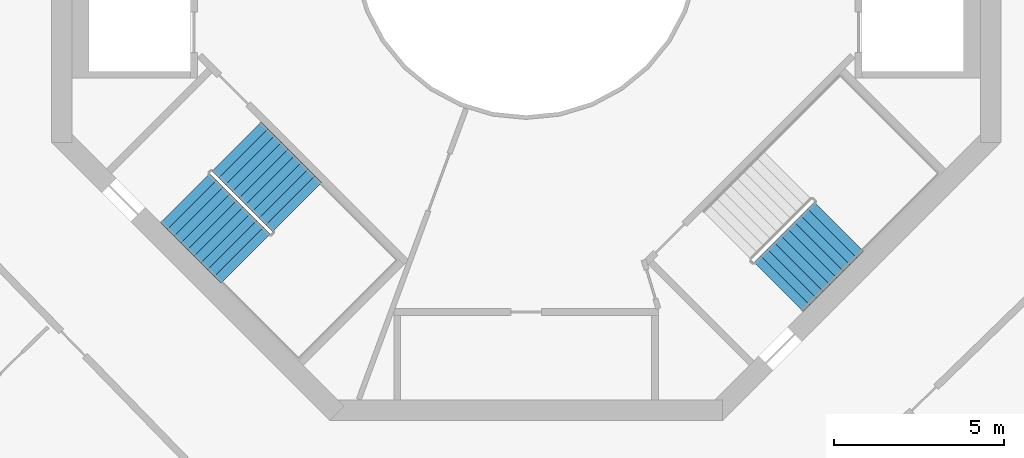
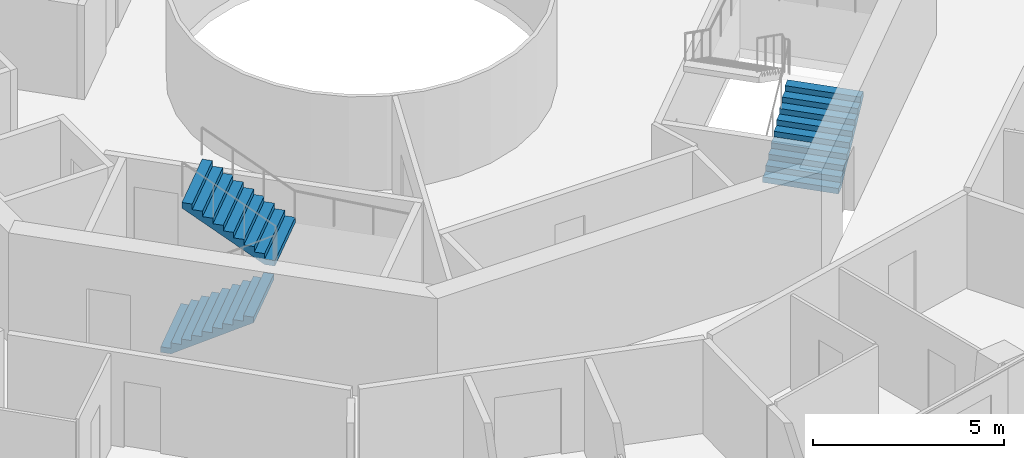
# One storey, part 22 of 24: 3 stair flights, 2 elements without a shape of their own.
"""IFC4 building model written with IfcOpenShell, lengths in metres."""

from ifc_helpers import new_model, si_unit, direction, frame, origin, place, context, subcontext, project, spatial, triangles, material, type_object, element, aggregate, save


model = new_model("IFC4")

# Units and contexts
model_context = context("Model", 3, precision=1e-05, world=origin(), true_north=direction((0.0, 1.0)))
body_context = subcontext(model_context, "Body", "Model", "MODEL_VIEW")
ifc_project = project(units=[si_unit("LENGTHUNIT", "METRE"), si_unit("AREAUNIT", "SQUARE_METRE"), si_unit("VOLUMEUNIT", "CUBIC_METRE"), si_unit("PLANEANGLEUNIT", "RADIAN"), si_unit("MASSUNIT", "GRAM", prefix="KILO")], contexts=[model_context])

# Site, building, storey
site_placement = place(None, origin())
site = spatial("IfcSite", under=ifc_project, at=site_placement, CompositionType="ELEMENT")
building_placement = place(site_placement, origin())
building = spatial("IfcBuilding", under=site, at=building_placement, Name="Verdalira Terraces Hotel", CompositionType="ELEMENT")
storey_placement = place(building_placement, frame((0.0, 0.0, 212.5)))
storey = spatial("IfcBuildingStorey", under=building, at=storey_placement, Name="L52", CompositionType="ELEMENT", Elevation=212.5)

# Stair, stair flights
ifc_material_1 = material(Name="Concrete C40", Category="concrete")
stair_type = type_object("IfcStairType", Name="Core stair 20 risers 2050 mm wide", PredefinedType="HALF_TURN_STAIR", material=ifc_material_1)
stair_1_placement = place(storey_placement, origin())
stair_1 = element("IfcStair", 1, at=stair_1_placement, inside=storey, type_object=stair_type, Name="L52 Exit stair ST2", PredefinedType="HALF_TURN_STAIR")
ifc_material_2 = material(Name="Concrete C40", Category="concrete")
stair_flight_type = type_object("IfcStairFlightType", Name="Core stair flight 20 risers 2050 mm wide", PredefinedType="STRAIGHT", material=ifc_material_2)
stair_flight_1_placement = place(storey_placement, frame((-10.058594, -7.442383, 0.0), z_axis=(0.0, 0.0, 1.0), x_axis=(0.707106781, -0.707106781, 0.0)))
stair_flight_1 = element("IfcStairFlight", 2, at=stair_flight_1_placement, type_object=stair_flight_type, Name="ST2 flight 1", NumberOfRisers=10, NumberOfTreads=9, PredefinedType="STRAIGHT", RiserHeight=0.175, TreadLength=0.28, context=body_context, shape_type="Tessellation", body=[
    triangles([(0.0, 1.025024, 0.0), (0.282715, 1.025024, 0.0), (2.52002, 1.025024, 1.398193), (0.0, -1.025024, 0.0), (0.282715, -1.025024, 0.0), (2.52002, -1.025024, 1.398193), (2.52002, 1.025024, 1.574951), (2.23999, 1.025024, 1.574951), (2.52002, -1.025024, 1.574951), (2.23999, -1.025024, 1.574951), (2.23999, 1.025024, 1.399902), (2.23999, -1.025024, 1.399902), (1.959961, 1.025024, 1.399902), (1.959961, -1.025024, 1.399902), (1.959961, 1.025024, 1.225098), (1.959961, -1.025024, 1.225098), (1.679932, 1.025024, 1.225098), (1.679932, 1.025024, 1.050049), (1.679932, -1.025024, 1.225098), (1.679932, -1.025024, 1.050049), (1.399902, 1.025024, 1.050049), (1.399902, 1.025024, 0.875), (1.399902, -1.025024, 1.050049), (1.399902, -1.025024, 0.875), (1.120117, 1.025024, 0.875), (1.120117, 1.025024, 0.699951), (1.120117, -1.025024, 0.875), (1.120117, -1.025024, 0.699951), (0.840088, 1.025024, 0.699951), (0.840088, 1.025024, 0.524902), (0.840088, -1.025024, 0.699951), (0.840088, -1.025024, 0.524902), (0.560059, 1.025024, 0.524902), (0.560059, 1.025024, 0.350098), (0.560059, -1.025024, 0.524902), (0.560059, -1.025024, 0.350098), (0.280029, 1.025024, 0.350098), (0.280029, 1.025024, 0.175049), (0.280029, -1.025024, 0.350098), (0.280029, -1.025024, 0.175049), (0.0, 1.025024, 0.175049), (0.0, -1.025024, 0.175049), (0.0, -0.96096, 0.0), (0.0, -0.96096, 0.175049), (0.0, -0.896896, 0.0), (0.0, -0.896896, 0.175049), (0.0, -0.832832, 0.0), (0.0, -0.832832, 0.175049), (0.0, -0.768768, 0.0), (0.0, -0.768768, 0.175049), (0.0, -0.704704, 0.0), (0.0, -0.704704, 0.175049), (0.0, -0.64064, 0.0), (0.0, -0.64064, 0.175049), (0.0, -0.576576, 0.0), (0.0, -0.576576, 0.175049), (0.0, -0.512512, 0.0), (0.0, -0.512512, 0.175049), (0.0, -0.448448, 0.0), (0.0, -0.448448, 0.175049), (0.0, -0.384384, 0.0), (0.0, -0.384384, 0.175049), (0.0, -0.32032, 0.0), (0.0, -0.32032, 0.175049), (0.0, -0.256256, 0.0), (0.0, -0.256256, 0.175049), (0.0, -0.192192, 0.0), (0.0, -0.192192, 0.175049), (0.0, -0.128128, 0.0), (0.0, -0.128128, 0.175049), (0.0, -0.064064, 0.0), (0.0, -0.064064, 0.175049), (0.0, 0.0, 0.0), (0.0, 0.0, 0.175049), (0.0, 0.064064, 0.0), (0.0, 0.064064, 0.175049), (0.0, 0.128128, 0.0), (0.0, 0.128128, 0.175049), (0.0, 0.192192, 0.0), (0.0, 0.192192, 0.175049), (0.0, 0.256256, 0.0), (0.0, 0.256256, 0.175049), (0.0, 0.32032, 0.0), (0.0, 0.32032, 0.175049), (0.0, 0.384384, 0.0), (0.0, 0.384384, 0.175049), (0.0, 0.448448, 0.0), (0.0, 0.448448, 0.175049), (0.0, 0.512512, 0.0), (0.0, 0.512512, 0.175049), (0.0, 0.576576, 0.0), (0.0, 0.576576, 0.175049), (0.0, 0.64064, 0.0), (0.0, 0.64064, 0.175049), (0.0, 0.704704, 0.0), (0.0, 0.704704, 0.175049), (0.0, 0.768768, 0.0), (0.0, 0.768768, 0.175049), (0.0, 0.832832, 0.0), (0.0, 0.832832, 0.175049), (0.0, 0.896896, 0.0), (0.0, 0.896896, 0.175049), (0.0, 0.96096, 0.0), (0.0, 0.96096, 0.175049), (2.52002, -0.96096, 1.574951), (2.52002, -0.896896, 1.574951), (2.52002, -0.832832, 1.574951), (2.52002, -0.768768, 1.574951), (2.52002, -0.704704, 1.574951), (2.52002, -0.64064, 1.574951), (2.52002, -0.576576, 1.574951), (2.52002, -0.512512, 1.574951), (2.52002, -0.448448, 1.574951), (2.52002, -0.384384, 1.574951), (2.52002, -0.32032, 1.574951), (2.52002, -0.256256, 1.574951), (2.52002, -0.192192, 1.574951), (2.52002, -0.128128, 1.574951), (2.52002, -0.064064, 1.574951), (2.52002, 0.0, 1.574951), (2.52002, 0.064064, 1.574951), (2.52002, 0.128128, 1.574951), (2.52002, 0.192192, 1.574951), (2.52002, 0.256256, 1.574951), (2.52002, 0.32032, 1.574951), (2.52002, 0.384384, 1.574951), (2.52002, 0.448448, 1.574951), (2.52002, 0.512512, 1.574951), (2.52002, 0.576576, 1.574951), (2.52002, 0.64064, 1.574951), (2.52002, 0.704704, 1.574951), (2.52002, 0.768768, 1.574951), (2.52002, 0.832832, 1.574951), (2.52002, 0.896896, 1.574951), (2.52002, 0.96096, 1.574951), (2.52002, -0.96096, 1.398193), (2.52002, -0.896896, 1.398193), (2.52002, -0.832832, 1.398193), (2.52002, -0.768768, 1.398193), (2.52002, -0.704704, 1.398193), (2.52002, -0.64064, 1.398193), (2.52002, -0.576576, 1.398193), (2.52002, -0.512512, 1.398193), (2.52002, -0.448448, 1.398193), (2.52002, -0.384384, 1.398193), (2.52002, -0.32032, 1.398193), (2.52002, -0.256256, 1.398193), (2.52002, -0.192192, 1.398193), (2.52002, -0.128128, 1.398193), (2.52002, -0.064064, 1.398193), (2.52002, 0.0, 1.398193), (2.52002, 0.064064, 1.398193), (2.52002, 0.128128, 1.398193), (2.52002, 0.192192, 1.398193), (2.52002, 0.256256, 1.398193), (2.52002, 0.32032, 1.398193), (2.52002, 0.384384, 1.398193), (2.52002, 0.448448, 1.398193), (2.52002, 0.512512, 1.398193), (2.52002, 0.576576, 1.398193), (2.52002, 0.64064, 1.398193), (2.52002, 0.704704, 1.398193), (2.52002, 0.768768, 1.398193), (2.52002, 0.832832, 1.398193), (2.52002, 0.896896, 1.398193), (2.52002, 0.96096, 1.398193)], [[1, 3, 2], [4, 5, 6], [3, 8, 7], [6, 9, 10], [3, 11, 8], [6, 10, 12], [3, 13, 11], [6, 12, 14], [3, 15, 13], [6, 14, 16], [15, 18, 17], [16, 19, 20], [3, 18, 15], [6, 16, 20], [18, 22, 21], [20, 23, 24], [3, 22, 18], [6, 20, 24], [22, 26, 25], [24, 27, 28], [3, 26, 22], [6, 24, 28], [26, 30, 29], [28, 31, 32], [3, 30, 26], [6, 28, 32], [1, 30, 3], [4, 6, 32], [30, 34, 33], [32, 35, 36], [34, 38, 37], [36, 39, 40], [30, 38, 34], [32, 36, 40], [1, 38, 30], [4, 32, 40], [38, 1, 41], [40, 42, 4], [4, 44, 43], [4, 42, 44], [43, 46, 45], [43, 44, 46], [45, 48, 47], [45, 46, 48], [47, 50, 49], [47, 48, 50], [49, 52, 51], [49, 50, 52], [51, 54, 53], [51, 52, 54], [53, 56, 55], [53, 54, 56], [55, 58, 57], [55, 56, 58], [57, 60, 59], [57, 58, 60], [59, 62, 61], [59, 60, 62], [61, 64, 63], [61, 62, 64], [63, 66, 65], [63, 64, 66], [65, 68, 67], [65, 66, 68], [67, 70, 69], [67, 68, 70], [69, 72, 71], [69, 70, 72], [71, 74, 73], [71, 72, 74], [73, 76, 75], [73, 74, 76], [75, 78, 77], [75, 76, 78], [77, 80, 79], [77, 78, 80], [79, 82, 81], [79, 80, 82], [81, 84, 83], [81, 82, 84], [83, 86, 85], [83, 84, 86], [85, 88, 87], [85, 86, 88], [87, 90, 89], [87, 88, 90], [89, 92, 91], [89, 90, 92], [91, 94, 93], [91, 92, 94], [93, 96, 95], [93, 94, 96], [95, 98, 97], [95, 96, 98], [97, 100, 99], [97, 98, 100], [99, 102, 101], [99, 100, 102], [101, 104, 103], [101, 102, 104], [103, 41, 1], [103, 104, 41], [42, 40, 44], [44, 40, 46], [46, 40, 48], [48, 40, 50], [50, 40, 52], [52, 40, 54], [54, 40, 56], [56, 40, 58], [58, 40, 60], [60, 40, 62], [62, 40, 64], [64, 40, 66], [66, 40, 68], [68, 40, 70], [70, 40, 72], [72, 40, 74], [74, 40, 76], [76, 40, 78], [78, 40, 80], [80, 40, 82], [82, 40, 84], [84, 40, 86], [86, 40, 88], [88, 40, 90], [90, 40, 92], [92, 40, 94], [94, 40, 96], [96, 40, 98], [98, 40, 100], [100, 40, 102], [102, 40, 104], [104, 40, 41], [41, 40, 38], [40, 37, 38], [40, 39, 37], [39, 34, 37], [39, 36, 34], [36, 33, 34], [36, 35, 33], [35, 30, 33], [35, 32, 30], [32, 29, 30], [32, 31, 29], [31, 26, 29], [31, 28, 26], [28, 25, 26], [28, 27, 25], [27, 22, 25], [27, 24, 22], [24, 21, 22], [24, 23, 21], [23, 18, 21], [23, 20, 18], [20, 17, 18], [20, 19, 17], [19, 15, 17], [19, 16, 15], [16, 13, 15], [16, 14, 13], [14, 11, 13], [14, 12, 11], [12, 8, 11], [12, 10, 8], [9, 105, 10], [105, 106, 10], [106, 107, 10], [107, 108, 10], [108, 109, 10], [109, 110, 10], [110, 111, 10], [111, 112, 10], [112, 113, 10], [113, 114, 10], [114, 115, 10], [115, 116, 10], [116, 117, 10], [117, 118, 10], [118, 119, 10], [119, 120, 10], [120, 121, 10], [121, 122, 10], [122, 123, 10], [123, 124, 10], [124, 125, 10], [125, 126, 10], [126, 127, 10], [127, 128, 10], [128, 129, 10], [129, 130, 10], [130, 131, 10], [131, 132, 10], [132, 133, 10], [133, 134, 10], [134, 135, 10], [135, 7, 10], [7, 8, 10], [9, 136, 105], [9, 6, 136], [105, 137, 106], [105, 136, 137], [106, 138, 107], [106, 137, 138], [107, 139, 108], [107, 138, 139], [108, 140, 109], [108, 139, 140], [109, 141, 110], [109, 140, 141], [110, 142, 111], [110, 141, 142], [111, 143, 112], [111, 142, 143], [112, 144, 113], [112, 143, 144], [113, 145, 114], [113, 144, 145], [114, 146, 115], [114, 145, 146], [115, 147, 116], [115, 146, 147], [116, 148, 117], [116, 147, 148], [117, 149, 118], [117, 148, 149], [118, 150, 119], [118, 149, 150], [119, 151, 120], [119, 150, 151], [120, 152, 121], [120, 151, 152], [121, 153, 122], [121, 152, 153], [122, 154, 123], [122, 153, 154], [123, 155, 124], [123, 154, 155], [124, 156, 125], [124, 155, 156], [125, 157, 126], [125, 156, 157], [126, 158, 127], [126, 157, 158], [127, 159, 128], [127, 158, 159], [128, 160, 129], [128, 159, 160], [129, 161, 130], [129, 160, 161], [130, 162, 131], [130, 161, 162], [131, 163, 132], [131, 162, 163], [132, 164, 133], [132, 163, 164], [133, 165, 134], [133, 164, 165], [134, 166, 135], [134, 165, 166], [135, 3, 7], [135, 166, 3], [6, 5, 136], [136, 5, 137], [137, 5, 138], [138, 5, 139], [139, 5, 140], [140, 5, 141], [141, 5, 142], [142, 5, 143], [143, 5, 144], [144, 5, 145], [145, 5, 146], [146, 5, 147], [147, 5, 148], [148, 5, 149], [149, 5, 150], [150, 5, 151], [151, 5, 152], [152, 5, 153], [153, 5, 154], [154, 5, 155], [155, 5, 156], [156, 5, 157], [157, 5, 158], [158, 5, 159], [159, 5, 160], [160, 5, 161], [161, 5, 162], [162, 5, 163], [163, 5, 164], [164, 5, 165], [165, 5, 166], [166, 5, 3], [3, 5, 2], [4, 43, 5], [43, 45, 5], [45, 47, 5], [47, 49, 5], [49, 51, 5], [51, 53, 5], [53, 55, 5], [55, 57, 5], [57, 59, 5], [59, 61, 5], [61, 63, 5], [63, 65, 5], [65, 67, 5], [67, 69, 5], [69, 71, 5], [71, 73, 5], [73, 75, 5], [75, 77, 5], [77, 79, 5], [79, 81, 5], [81, 83, 5], [83, 85, 5], [85, 87, 5], [87, 89, 5], [89, 91, 5], [91, 93, 5], [93, 95, 5], [95, 97, 5], [97, 99, 5], [99, 101, 5], [101, 103, 5], [103, 1, 5], [1, 2, 5]], closed=True),
])
stair_flight_2_placement = place(storey_placement, frame((-6.756348, -7.703857, 1.75), z_axis=(0.0, 0.0, 1.0), x_axis=(-0.707106781, 0.707106781, 0.0)))
stair_flight_2 = element("IfcStairFlight", 3, at=stair_flight_2_placement, type_object=stair_flight_type, Name="ST2 flight 2", NumberOfRisers=10, NumberOfTreads=9, PredefinedType="STRAIGHT", RiserHeight=0.175, TreadLength=0.28, context=body_context, shape_type="Tessellation", body=[
    triangles([(0.0, 1.025024, 0.0), (0.282715, 1.025024, 0.0), (2.52002, 1.025024, 1.398193), (0.0, -1.025024, 0.0), (0.282715, -1.025024, 0.0), (2.52002, -1.025024, 1.398193), (2.52002, 1.025024, 1.574951), (2.23999, 1.025024, 1.574951), (2.52002, -1.025024, 1.574951), (2.23999, -1.025024, 1.574951), (2.23999, 1.025024, 1.399902), (2.23999, -1.025024, 1.399902), (1.959961, 1.025024, 1.399902), (1.959961, -1.025024, 1.399902), (1.959961, 1.025024, 1.225098), (1.959961, -1.025024, 1.225098), (1.679932, 1.025024, 1.225098), (1.679932, 1.025024, 1.050049), (1.679932, -1.025024, 1.225098), (1.679932, -1.025024, 1.050049), (1.399902, 1.025024, 1.050049), (1.399902, 1.025024, 0.875), (1.399902, -1.025024, 1.050049), (1.399902, -1.025024, 0.875), (1.120117, 1.025024, 0.875), (1.120117, 1.025024, 0.699951), (1.120117, -1.025024, 0.875), (1.120117, -1.025024, 0.699951), (0.840088, 1.025024, 0.699951), (0.840088, 1.025024, 0.524902), (0.840088, -1.025024, 0.699951), (0.840088, -1.025024, 0.524902), (0.560059, 1.025024, 0.524902), (0.560059, 1.025024, 0.350098), (0.560059, -1.025024, 0.524902), (0.560059, -1.025024, 0.350098), (0.280029, 1.025024, 0.350098), (0.280029, 1.025024, 0.175049), (0.280029, -1.025024, 0.350098), (0.280029, -1.025024, 0.175049), (0.0, 1.025024, 0.175049), (0.0, -1.025024, 0.175049), (0.0, -0.96096, 0.0), (0.0, -0.96096, 0.175049), (0.0, -0.896896, 0.0), (0.0, -0.896896, 0.175049), (0.0, -0.832832, 0.0), (0.0, -0.832832, 0.175049), (0.0, -0.768768, 0.0), (0.0, -0.768768, 0.175049), (0.0, -0.704704, 0.0), (0.0, -0.704704, 0.175049), (0.0, -0.64064, 0.0), (0.0, -0.64064, 0.175049), (0.0, -0.576576, 0.0), (0.0, -0.576576, 0.175049), (0.0, -0.512512, 0.0), (0.0, -0.512512, 0.175049), (0.0, -0.448448, 0.0), (0.0, -0.448448, 0.175049), (0.0, -0.384384, 0.0), (0.0, -0.384384, 0.175049), (0.0, -0.32032, 0.0), (0.0, -0.32032, 0.175049), (0.0, -0.256256, 0.0), (0.0, -0.256256, 0.175049), (0.0, -0.192192, 0.0), (0.0, -0.192192, 0.175049), (0.0, -0.128128, 0.0), (0.0, -0.128128, 0.175049), (0.0, -0.064064, 0.0), (0.0, -0.064064, 0.175049), (0.0, 0.0, 0.0), (0.0, 0.0, 0.175049), (0.0, 0.064064, 0.0), (0.0, 0.064064, 0.175049), (0.0, 0.128128, 0.0), (0.0, 0.128128, 0.175049), (0.0, 0.192192, 0.0), (0.0, 0.192192, 0.175049), (0.0, 0.256256, 0.0), (0.0, 0.256256, 0.175049), (0.0, 0.32032, 0.0), (0.0, 0.32032, 0.175049), (0.0, 0.384384, 0.0), (0.0, 0.384384, 0.175049), (0.0, 0.448448, 0.0), (0.0, 0.448448, 0.175049), (0.0, 0.512512, 0.0), (0.0, 0.512512, 0.175049), (0.0, 0.576576, 0.0), (0.0, 0.576576, 0.175049), (0.0, 0.64064, 0.0), (0.0, 0.64064, 0.175049), (0.0, 0.704704, 0.0), (0.0, 0.704704, 0.175049), (0.0, 0.768768, 0.0), (0.0, 0.768768, 0.175049), (0.0, 0.832832, 0.0), (0.0, 0.832832, 0.175049), (0.0, 0.896896, 0.0), (0.0, 0.896896, 0.175049), (0.0, 0.96096, 0.0), (0.0, 0.96096, 0.175049), (2.52002, -0.96096, 1.574951), (2.52002, -0.896896, 1.574951), (2.52002, -0.832832, 1.574951), (2.52002, -0.768768, 1.574951), (2.52002, -0.704704, 1.574951), (2.52002, -0.64064, 1.574951), (2.52002, -0.576576, 1.574951), (2.52002, -0.512512, 1.574951), (2.52002, -0.448448, 1.574951), (2.52002, -0.384384, 1.574951), (2.52002, -0.32032, 1.574951), (2.52002, -0.256256, 1.574951), (2.52002, -0.192192, 1.574951), (2.52002, -0.128128, 1.574951), (2.52002, -0.064064, 1.574951), (2.52002, 0.0, 1.574951), (2.52002, 0.064064, 1.574951), (2.52002, 0.128128, 1.574951), (2.52002, 0.192192, 1.574951), (2.52002, 0.256256, 1.574951), (2.52002, 0.32032, 1.574951), (2.52002, 0.384384, 1.574951), (2.52002, 0.448448, 1.574951), (2.52002, 0.512512, 1.574951), (2.52002, 0.576576, 1.574951), (2.52002, 0.64064, 1.574951), (2.52002, 0.704704, 1.574951), (2.52002, 0.768768, 1.574951), (2.52002, 0.832832, 1.574951), (2.52002, 0.896896, 1.574951), (2.52002, 0.96096, 1.574951), (2.52002, -0.96096, 1.398193), (2.52002, -0.896896, 1.398193), (2.52002, -0.832832, 1.398193), (2.52002, -0.768768, 1.398193), (2.52002, -0.704704, 1.398193), (2.52002, -0.64064, 1.398193), (2.52002, -0.576576, 1.398193), (2.52002, -0.512512, 1.398193), (2.52002, -0.448448, 1.398193), (2.52002, -0.384384, 1.398193), (2.52002, -0.32032, 1.398193), (2.52002, -0.256256, 1.398193), (2.52002, -0.192192, 1.398193), (2.52002, -0.128128, 1.398193), (2.52002, -0.064064, 1.398193), (2.52002, 0.0, 1.398193), (2.52002, 0.064064, 1.398193), (2.52002, 0.128128, 1.398193), (2.52002, 0.192192, 1.398193), (2.52002, 0.256256, 1.398193), (2.52002, 0.32032, 1.398193), (2.52002, 0.384384, 1.398193), (2.52002, 0.448448, 1.398193), (2.52002, 0.512512, 1.398193), (2.52002, 0.576576, 1.398193), (2.52002, 0.64064, 1.398193), (2.52002, 0.704704, 1.398193), (2.52002, 0.768768, 1.398193), (2.52002, 0.832832, 1.398193), (2.52002, 0.896896, 1.398193), (2.52002, 0.96096, 1.398193)], [[1, 3, 2], [4, 5, 6], [3, 8, 7], [6, 9, 10], [3, 11, 8], [6, 10, 12], [3, 13, 11], [6, 12, 14], [3, 15, 13], [6, 14, 16], [15, 18, 17], [16, 19, 20], [3, 18, 15], [6, 16, 20], [18, 22, 21], [20, 23, 24], [3, 22, 18], [6, 20, 24], [22, 26, 25], [24, 27, 28], [3, 26, 22], [6, 24, 28], [26, 30, 29], [28, 31, 32], [3, 30, 26], [6, 28, 32], [1, 30, 3], [4, 6, 32], [30, 34, 33], [32, 35, 36], [34, 38, 37], [36, 39, 40], [30, 38, 34], [32, 36, 40], [1, 38, 30], [4, 32, 40], [38, 1, 41], [40, 42, 4], [4, 44, 43], [4, 42, 44], [43, 46, 45], [43, 44, 46], [45, 48, 47], [45, 46, 48], [47, 50, 49], [47, 48, 50], [49, 52, 51], [49, 50, 52], [51, 54, 53], [51, 52, 54], [53, 56, 55], [53, 54, 56], [55, 58, 57], [55, 56, 58], [57, 60, 59], [57, 58, 60], [59, 62, 61], [59, 60, 62], [61, 64, 63], [61, 62, 64], [63, 66, 65], [63, 64, 66], [65, 68, 67], [65, 66, 68], [67, 70, 69], [67, 68, 70], [69, 72, 71], [69, 70, 72], [71, 74, 73], [71, 72, 74], [73, 76, 75], [73, 74, 76], [75, 78, 77], [75, 76, 78], [77, 80, 79], [77, 78, 80], [79, 82, 81], [79, 80, 82], [81, 84, 83], [81, 82, 84], [83, 86, 85], [83, 84, 86], [85, 88, 87], [85, 86, 88], [87, 90, 89], [87, 88, 90], [89, 92, 91], [89, 90, 92], [91, 94, 93], [91, 92, 94], [93, 96, 95], [93, 94, 96], [95, 98, 97], [95, 96, 98], [97, 100, 99], [97, 98, 100], [99, 102, 101], [99, 100, 102], [101, 104, 103], [101, 102, 104], [103, 41, 1], [103, 104, 41], [42, 40, 44], [44, 40, 46], [46, 40, 48], [48, 40, 50], [50, 40, 52], [52, 40, 54], [54, 40, 56], [56, 40, 58], [58, 40, 60], [60, 40, 62], [62, 40, 64], [64, 40, 66], [66, 40, 68], [68, 40, 70], [70, 40, 72], [72, 40, 74], [74, 40, 76], [76, 40, 78], [78, 40, 80], [80, 40, 82], [82, 40, 84], [84, 40, 86], [86, 40, 88], [88, 40, 90], [90, 40, 92], [92, 40, 94], [94, 40, 96], [96, 40, 98], [98, 40, 100], [100, 40, 102], [102, 40, 104], [104, 40, 41], [41, 40, 38], [40, 37, 38], [40, 39, 37], [39, 34, 37], [39, 36, 34], [36, 33, 34], [36, 35, 33], [35, 30, 33], [35, 32, 30], [32, 29, 30], [32, 31, 29], [31, 26, 29], [31, 28, 26], [28, 25, 26], [28, 27, 25], [27, 22, 25], [27, 24, 22], [24, 21, 22], [24, 23, 21], [23, 18, 21], [23, 20, 18], [20, 17, 18], [20, 19, 17], [19, 15, 17], [19, 16, 15], [16, 13, 15], [16, 14, 13], [14, 11, 13], [14, 12, 11], [12, 8, 11], [12, 10, 8], [9, 105, 10], [105, 106, 10], [106, 107, 10], [107, 108, 10], [108, 109, 10], [109, 110, 10], [110, 111, 10], [111, 112, 10], [112, 113, 10], [113, 114, 10], [114, 115, 10], [115, 116, 10], [116, 117, 10], [117, 118, 10], [118, 119, 10], [119, 120, 10], [120, 121, 10], [121, 122, 10], [122, 123, 10], [123, 124, 10], [124, 125, 10], [125, 126, 10], [126, 127, 10], [127, 128, 10], [128, 129, 10], [129, 130, 10], [130, 131, 10], [131, 132, 10], [132, 133, 10], [133, 134, 10], [134, 135, 10], [135, 7, 10], [7, 8, 10], [9, 136, 105], [9, 6, 136], [105, 137, 106], [105, 136, 137], [106, 138, 107], [106, 137, 138], [107, 139, 108], [107, 138, 139], [108, 140, 109], [108, 139, 140], [109, 141, 110], [109, 140, 141], [110, 142, 111], [110, 141, 142], [111, 143, 112], [111, 142, 143], [112, 144, 113], [112, 143, 144], [113, 145, 114], [113, 144, 145], [114, 146, 115], [114, 145, 146], [115, 147, 116], [115, 146, 147], [116, 148, 117], [116, 147, 148], [117, 149, 118], [117, 148, 149], [118, 150, 119], [118, 149, 150], [119, 151, 120], [119, 150, 151], [120, 152, 121], [120, 151, 152], [121, 153, 122], [121, 152, 153], [122, 154, 123], [122, 153, 154], [123, 155, 124], [123, 154, 155], [124, 156, 125], [124, 155, 156], [125, 157, 126], [125, 156, 157], [126, 158, 127], [126, 157, 158], [127, 159, 128], [127, 158, 159], [128, 160, 129], [128, 159, 160], [129, 161, 130], [129, 160, 161], [130, 162, 131], [130, 161, 162], [131, 163, 132], [131, 162, 163], [132, 164, 133], [132, 163, 164], [133, 165, 134], [133, 164, 165], [134, 166, 135], [134, 165, 166], [135, 3, 7], [135, 166, 3], [6, 5, 136], [136, 5, 137], [137, 5, 138], [138, 5, 139], [139, 5, 140], [140, 5, 141], [141, 5, 142], [142, 5, 143], [143, 5, 144], [144, 5, 145], [145, 5, 146], [146, 5, 147], [147, 5, 148], [148, 5, 149], [149, 5, 150], [150, 5, 151], [151, 5, 152], [152, 5, 153], [153, 5, 154], [154, 5, 155], [155, 5, 156], [156, 5, 157], [157, 5, 158], [158, 5, 159], [159, 5, 160], [160, 5, 161], [161, 5, 162], [162, 5, 163], [163, 5, 164], [164, 5, 165], [165, 5, 166], [166, 5, 3], [3, 5, 2], [4, 43, 5], [43, 45, 5], [45, 47, 5], [47, 49, 5], [49, 51, 5], [51, 53, 5], [53, 55, 5], [55, 57, 5], [57, 59, 5], [59, 61, 5], [61, 63, 5], [63, 65, 5], [65, 67, 5], [67, 69, 5], [69, 71, 5], [71, 73, 5], [73, 75, 5], [75, 77, 5], [77, 79, 5], [79, 81, 5], [81, 83, 5], [83, 85, 5], [85, 87, 5], [87, 89, 5], [89, 91, 5], [91, 93, 5], [93, 95, 5], [95, 97, 5], [97, 99, 5], [99, 101, 5], [101, 103, 5], [103, 1, 5], [1, 2, 5]], closed=True),
])
aggregate(stair_1, [stair_flight_1, stair_flight_2])

# Stair, stair flight
stair_2_placement = place(storey_placement, origin())
stair_2 = element("IfcStair", 4, at=stair_2_placement, inside=storey, type_object=stair_type, Name="L52 Exit stair ST3", PredefinedType="HALF_TURN_STAIR")
stair_flight_3_placement = place(storey_placement, frame((7.442383, -10.058594, 0.0), z_axis=(0.0, 0.0, 1.0), x_axis=(0.707106781, 0.707106781, 0.0)))
stair_flight_3 = element("IfcStairFlight", 5, at=stair_flight_3_placement, type_object=stair_flight_type, Name="ST3 flight 1", NumberOfRisers=10, NumberOfTreads=9, PredefinedType="STRAIGHT", RiserHeight=0.175, TreadLength=0.28, context=body_context, shape_type="Tessellation", body=[
    triangles([(0.0, 1.025024, 0.0), (0.282715, 1.025024, 0.0), (2.52002, 1.025024, 1.398193), (0.0, -1.025024, 0.0), (0.282715, -1.025024, 0.0), (2.52002, -1.025024, 1.398193), (2.52002, 1.025024, 1.574951), (2.23999, 1.025024, 1.574951), (2.52002, -1.025024, 1.574951), (2.23999, -1.025024, 1.574951), (2.23999, 1.025024, 1.399902), (2.23999, -1.025024, 1.399902), (1.959961, 1.025024, 1.399902), (1.959961, -1.025024, 1.399902), (1.959961, 1.025024, 1.225098), (1.959961, -1.025024, 1.225098), (1.679932, 1.025024, 1.225098), (1.679932, 1.025024, 1.050049), (1.679932, -1.025024, 1.225098), (1.679932, -1.025024, 1.050049), (1.399902, 1.025024, 1.050049), (1.399902, 1.025024, 0.875), (1.399902, -1.025024, 1.050049), (1.399902, -1.025024, 0.875), (1.120117, 1.025024, 0.875), (1.120117, 1.025024, 0.699951), (1.120117, -1.025024, 0.875), (1.120117, -1.025024, 0.699951), (0.840088, 1.025024, 0.699951), (0.840088, 1.025024, 0.524902), (0.840088, -1.025024, 0.699951), (0.840088, -1.025024, 0.524902), (0.560059, 1.025024, 0.524902), (0.560059, 1.025024, 0.350098), (0.560059, -1.025024, 0.524902), (0.560059, -1.025024, 0.350098), (0.280029, 1.025024, 0.350098), (0.280029, 1.025024, 0.175049), (0.280029, -1.025024, 0.350098), (0.280029, -1.025024, 0.175049), (0.0, 1.025024, 0.175049), (0.0, -1.025024, 0.175049), (0.0, -0.96096, 0.0), (0.0, -0.96096, 0.175049), (0.0, -0.896896, 0.0), (0.0, -0.896896, 0.175049), (0.0, -0.832832, 0.0), (0.0, -0.832832, 0.175049), (0.0, -0.768768, 0.0), (0.0, -0.768768, 0.175049), (0.0, -0.704704, 0.0), (0.0, -0.704704, 0.175049), (0.0, -0.64064, 0.0), (0.0, -0.64064, 0.175049), (0.0, -0.576576, 0.0), (0.0, -0.576576, 0.175049), (0.0, -0.512512, 0.0), (0.0, -0.512512, 0.175049), (0.0, -0.448448, 0.0), (0.0, -0.448448, 0.175049), (0.0, -0.384384, 0.0), (0.0, -0.384384, 0.175049), (0.0, -0.32032, 0.0), (0.0, -0.32032, 0.175049), (0.0, -0.256256, 0.0), (0.0, -0.256256, 0.175049), (0.0, -0.192192, 0.0), (0.0, -0.192192, 0.175049), (0.0, -0.128128, 0.0), (0.0, -0.128128, 0.175049), (0.0, -0.064064, 0.0), (0.0, -0.064064, 0.175049), (0.0, 0.0, 0.0), (0.0, 0.0, 0.175049), (0.0, 0.064064, 0.0), (0.0, 0.064064, 0.175049), (0.0, 0.128128, 0.0), (0.0, 0.128128, 0.175049), (0.0, 0.192192, 0.0), (0.0, 0.192192, 0.175049), (0.0, 0.256256, 0.0), (0.0, 0.256256, 0.175049), (0.0, 0.32032, 0.0), (0.0, 0.32032, 0.175049), (0.0, 0.384384, 0.0), (0.0, 0.384384, 0.175049), (0.0, 0.448448, 0.0), (0.0, 0.448448, 0.175049), (0.0, 0.512512, 0.0), (0.0, 0.512512, 0.175049), (0.0, 0.576576, 0.0), (0.0, 0.576576, 0.175049), (0.0, 0.64064, 0.0), (0.0, 0.64064, 0.175049), (0.0, 0.704704, 0.0), (0.0, 0.704704, 0.175049), (0.0, 0.768768, 0.0), (0.0, 0.768768, 0.175049), (0.0, 0.832832, 0.0), (0.0, 0.832832, 0.175049), (0.0, 0.896896, 0.0), (0.0, 0.896896, 0.175049), (0.0, 0.96096, 0.0), (0.0, 0.96096, 0.175049), (2.52002, -0.96096, 1.574951), (2.52002, -0.896896, 1.574951), (2.52002, -0.832832, 1.574951), (2.52002, -0.768768, 1.574951), (2.52002, -0.704704, 1.574951), (2.52002, -0.64064, 1.574951), (2.52002, -0.576576, 1.574951), (2.52002, -0.512512, 1.574951), (2.52002, -0.448448, 1.574951), (2.52002, -0.384384, 1.574951), (2.52002, -0.32032, 1.574951), (2.52002, -0.256256, 1.574951), (2.52002, -0.192192, 1.574951), (2.52002, -0.128128, 1.574951), (2.52002, -0.064064, 1.574951), (2.52002, 0.0, 1.574951), (2.52002, 0.064064, 1.574951), (2.52002, 0.128128, 1.574951), (2.52002, 0.192192, 1.574951), (2.52002, 0.256256, 1.574951), (2.52002, 0.32032, 1.574951), (2.52002, 0.384384, 1.574951), (2.52002, 0.448448, 1.574951), (2.52002, 0.512512, 1.574951), (2.52002, 0.576576, 1.574951), (2.52002, 0.64064, 1.574951), (2.52002, 0.704704, 1.574951), (2.52002, 0.768768, 1.574951), (2.52002, 0.832832, 1.574951), (2.52002, 0.896896, 1.574951), (2.52002, 0.96096, 1.574951), (2.52002, -0.96096, 1.398193), (2.52002, -0.896896, 1.398193), (2.52002, -0.832832, 1.398193), (2.52002, -0.768768, 1.398193), (2.52002, -0.704704, 1.398193), (2.52002, -0.64064, 1.398193), (2.52002, -0.576576, 1.398193), (2.52002, -0.512512, 1.398193), (2.52002, -0.448448, 1.398193), (2.52002, -0.384384, 1.398193), (2.52002, -0.32032, 1.398193), (2.52002, -0.256256, 1.398193), (2.52002, -0.192192, 1.398193), (2.52002, -0.128128, 1.398193), (2.52002, -0.064064, 1.398193), (2.52002, 0.0, 1.398193), (2.52002, 0.064064, 1.398193), (2.52002, 0.128128, 1.398193), (2.52002, 0.192192, 1.398193), (2.52002, 0.256256, 1.398193), (2.52002, 0.32032, 1.398193), (2.52002, 0.384384, 1.398193), (2.52002, 0.448448, 1.398193), (2.52002, 0.512512, 1.398193), (2.52002, 0.576576, 1.398193), (2.52002, 0.64064, 1.398193), (2.52002, 0.704704, 1.398193), (2.52002, 0.768768, 1.398193), (2.52002, 0.832832, 1.398193), (2.52002, 0.896896, 1.398193), (2.52002, 0.96096, 1.398193)], [[1, 3, 2], [4, 5, 6], [3, 8, 7], [6, 9, 10], [3, 11, 8], [6, 10, 12], [3, 13, 11], [6, 12, 14], [3, 15, 13], [6, 14, 16], [15, 18, 17], [16, 19, 20], [3, 18, 15], [6, 16, 20], [18, 22, 21], [20, 23, 24], [3, 22, 18], [6, 20, 24], [22, 26, 25], [24, 27, 28], [3, 26, 22], [6, 24, 28], [26, 30, 29], [28, 31, 32], [3, 30, 26], [6, 28, 32], [1, 30, 3], [4, 6, 32], [30, 34, 33], [32, 35, 36], [34, 38, 37], [36, 39, 40], [30, 38, 34], [32, 36, 40], [1, 38, 30], [4, 32, 40], [38, 1, 41], [40, 42, 4], [4, 44, 43], [4, 42, 44], [43, 46, 45], [43, 44, 46], [45, 48, 47], [45, 46, 48], [47, 50, 49], [47, 48, 50], [49, 52, 51], [49, 50, 52], [51, 54, 53], [51, 52, 54], [53, 56, 55], [53, 54, 56], [55, 58, 57], [55, 56, 58], [57, 60, 59], [57, 58, 60], [59, 62, 61], [59, 60, 62], [61, 64, 63], [61, 62, 64], [63, 66, 65], [63, 64, 66], [65, 68, 67], [65, 66, 68], [67, 70, 69], [67, 68, 70], [69, 72, 71], [69, 70, 72], [71, 74, 73], [71, 72, 74], [73, 76, 75], [73, 74, 76], [75, 78, 77], [75, 76, 78], [77, 80, 79], [77, 78, 80], [79, 82, 81], [79, 80, 82], [81, 84, 83], [81, 82, 84], [83, 86, 85], [83, 84, 86], [85, 88, 87], [85, 86, 88], [87, 90, 89], [87, 88, 90], [89, 92, 91], [89, 90, 92], [91, 94, 93], [91, 92, 94], [93, 96, 95], [93, 94, 96], [95, 98, 97], [95, 96, 98], [97, 100, 99], [97, 98, 100], [99, 102, 101], [99, 100, 102], [101, 104, 103], [101, 102, 104], [103, 41, 1], [103, 104, 41], [42, 40, 44], [44, 40, 46], [46, 40, 48], [48, 40, 50], [50, 40, 52], [52, 40, 54], [54, 40, 56], [56, 40, 58], [58, 40, 60], [60, 40, 62], [62, 40, 64], [64, 40, 66], [66, 40, 68], [68, 40, 70], [70, 40, 72], [72, 40, 74], [74, 40, 76], [76, 40, 78], [78, 40, 80], [80, 40, 82], [82, 40, 84], [84, 40, 86], [86, 40, 88], [88, 40, 90], [90, 40, 92], [92, 40, 94], [94, 40, 96], [96, 40, 98], [98, 40, 100], [100, 40, 102], [102, 40, 104], [104, 40, 41], [41, 40, 38], [40, 37, 38], [40, 39, 37], [39, 34, 37], [39, 36, 34], [36, 33, 34], [36, 35, 33], [35, 30, 33], [35, 32, 30], [32, 29, 30], [32, 31, 29], [31, 26, 29], [31, 28, 26], [28, 25, 26], [28, 27, 25], [27, 22, 25], [27, 24, 22], [24, 21, 22], [24, 23, 21], [23, 18, 21], [23, 20, 18], [20, 17, 18], [20, 19, 17], [19, 15, 17], [19, 16, 15], [16, 13, 15], [16, 14, 13], [14, 11, 13], [14, 12, 11], [12, 8, 11], [12, 10, 8], [9, 105, 10], [105, 106, 10], [106, 107, 10], [107, 108, 10], [108, 109, 10], [109, 110, 10], [110, 111, 10], [111, 112, 10], [112, 113, 10], [113, 114, 10], [114, 115, 10], [115, 116, 10], [116, 117, 10], [117, 118, 10], [118, 119, 10], [119, 120, 10], [120, 121, 10], [121, 122, 10], [122, 123, 10], [123, 124, 10], [124, 125, 10], [125, 126, 10], [126, 127, 10], [127, 128, 10], [128, 129, 10], [129, 130, 10], [130, 131, 10], [131, 132, 10], [132, 133, 10], [133, 134, 10], [134, 135, 10], [135, 7, 10], [7, 8, 10], [9, 136, 105], [9, 6, 136], [105, 137, 106], [105, 136, 137], [106, 138, 107], [106, 137, 138], [107, 139, 108], [107, 138, 139], [108, 140, 109], [108, 139, 140], [109, 141, 110], [109, 140, 141], [110, 142, 111], [110, 141, 142], [111, 143, 112], [111, 142, 143], [112, 144, 113], [112, 143, 144], [113, 145, 114], [113, 144, 145], [114, 146, 115], [114, 145, 146], [115, 147, 116], [115, 146, 147], [116, 148, 117], [116, 147, 148], [117, 149, 118], [117, 148, 149], [118, 150, 119], [118, 149, 150], [119, 151, 120], [119, 150, 151], [120, 152, 121], [120, 151, 152], [121, 153, 122], [121, 152, 153], [122, 154, 123], [122, 153, 154], [123, 155, 124], [123, 154, 155], [124, 156, 125], [124, 155, 156], [125, 157, 126], [125, 156, 157], [126, 158, 127], [126, 157, 158], [127, 159, 128], [127, 158, 159], [128, 160, 129], [128, 159, 160], [129, 161, 130], [129, 160, 161], [130, 162, 131], [130, 161, 162], [131, 163, 132], [131, 162, 163], [132, 164, 133], [132, 163, 164], [133, 165, 134], [133, 164, 165], [134, 166, 135], [134, 165, 166], [135, 3, 7], [135, 166, 3], [6, 5, 136], [136, 5, 137], [137, 5, 138], [138, 5, 139], [139, 5, 140], [140, 5, 141], [141, 5, 142], [142, 5, 143], [143, 5, 144], [144, 5, 145], [145, 5, 146], [146, 5, 147], [147, 5, 148], [148, 5, 149], [149, 5, 150], [150, 5, 151], [151, 5, 152], [152, 5, 153], [153, 5, 154], [154, 5, 155], [155, 5, 156], [156, 5, 157], [157, 5, 158], [158, 5, 159], [159, 5, 160], [160, 5, 161], [161, 5, 162], [162, 5, 163], [163, 5, 164], [164, 5, 165], [165, 5, 166], [166, 5, 3], [3, 5, 2], [4, 43, 5], [43, 45, 5], [45, 47, 5], [47, 49, 5], [49, 51, 5], [51, 53, 5], [53, 55, 5], [55, 57, 5], [57, 59, 5], [59, 61, 5], [61, 63, 5], [63, 65, 5], [65, 67, 5], [67, 69, 5], [69, 71, 5], [71, 73, 5], [73, 75, 5], [75, 77, 5], [77, 79, 5], [79, 81, 5], [81, 83, 5], [83, 85, 5], [85, 87, 5], [87, 89, 5], [89, 91, 5], [91, 93, 5], [93, 95, 5], [95, 97, 5], [97, 99, 5], [99, 101, 5], [101, 103, 5], [103, 1, 5], [1, 2, 5]], closed=True),
])
aggregate(stair_2, [stair_flight_3])

save(model, "model.ifc")
